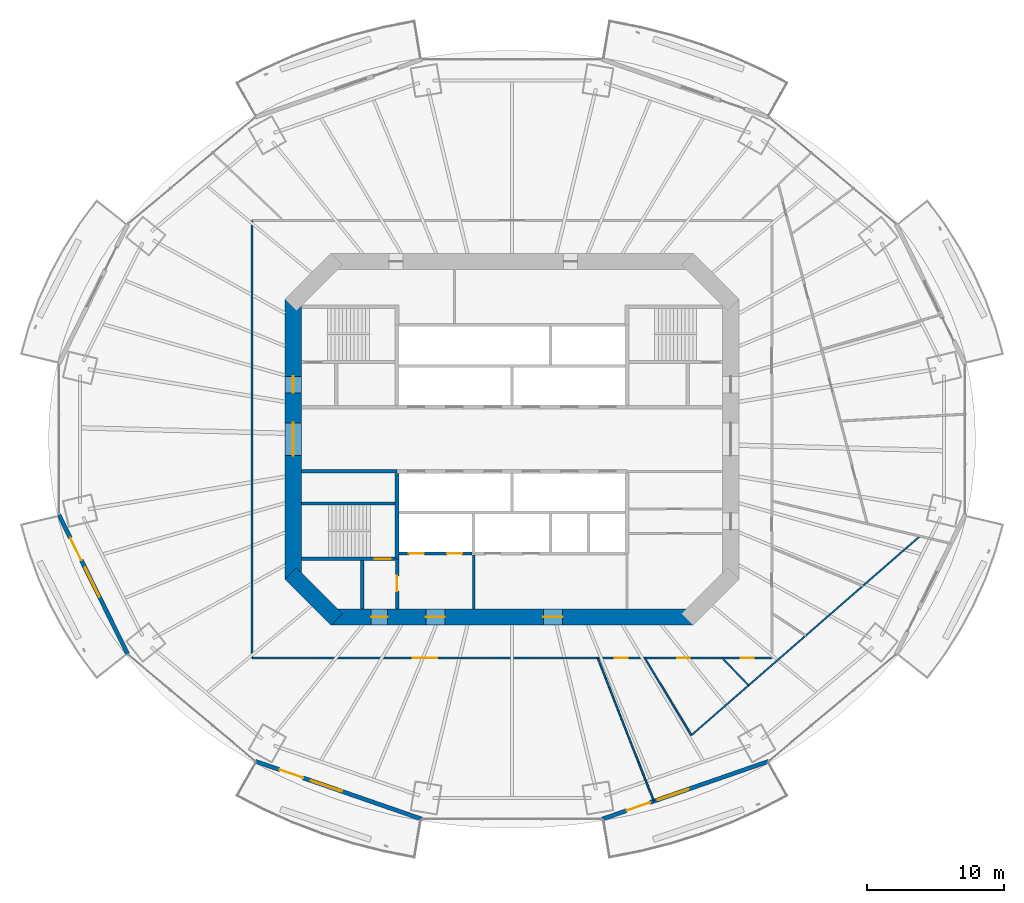
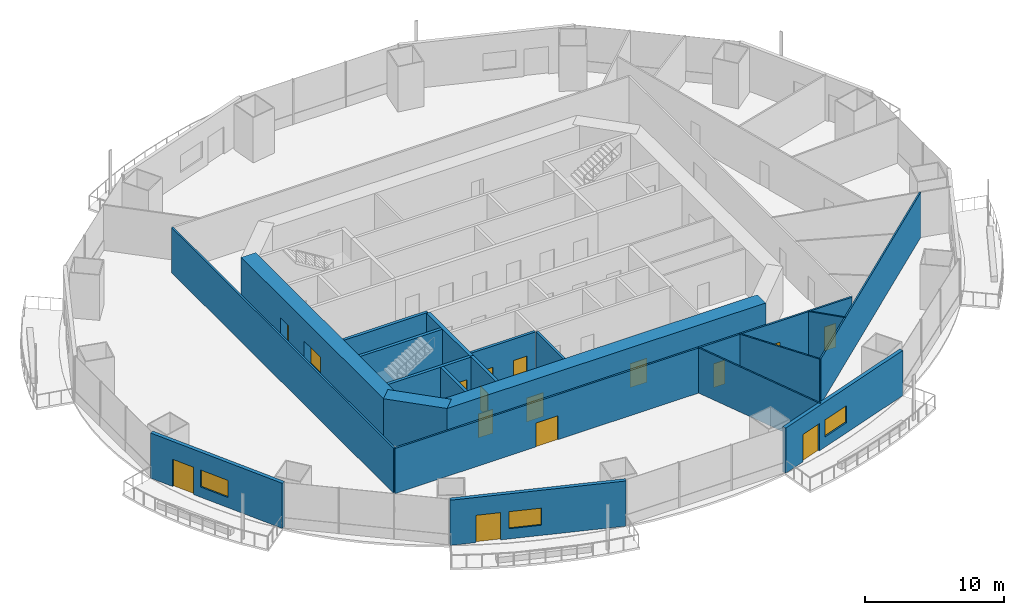
# One storey, part 13 of 21: 20 walls, 16 doors, 3 windows, 19 openings.
"""IFC4 building model written with IfcOpenShell, lengths in metres."""

from ifc_helpers import new_model, si_unit, direction, frame, frame_2d, origin, place, context, subcontext, project, spatial, rectangle, extrude, material, layer, layer_set, type_object, element, fill, save


model = new_model("IFC4")

# Units and contexts
model_context = context("Model", 3, precision=1e-05, world=origin(), true_north=direction((0.0, 1.0)))
body_context = subcontext(model_context, "Body", "Model", "MODEL_VIEW")
ifc_project = project(units=[si_unit("LENGTHUNIT", "METRE"), si_unit("AREAUNIT", "SQUARE_METRE"), si_unit("VOLUMEUNIT", "CUBIC_METRE"), si_unit("PLANEANGLEUNIT", "RADIAN"), si_unit("MASSUNIT", "GRAM", prefix="KILO")], contexts=[model_context])

# Site, building, storey
site_placement = place(None, origin())
site = spatial("IfcSite", under=ifc_project, at=site_placement, CompositionType="ELEMENT")
building_placement = place(site_placement, origin())
building = spatial("IfcBuilding", under=site, at=building_placement, Name="Marenthal Gate Tower", CompositionType="ELEMENT")
storey_placement = place(building_placement, frame((0.0, 0.0, 120.14990234375)))
storey = spatial("IfcBuildingStorey", under=building, at=storey_placement, Name="L25", CompositionType="ELEMENT", Elevation=120.14990234375)

# Wall, openings, doors
ifc_material_1 = material(Name="Concrete 60 MPa", Category="concrete")
ifc_layer_1 = layer(ifc_material_1, 1.199951171875)
ifc_layer_set_1 = layer_set([ifc_layer_1], Name="Core shear wall 1200")
wall_type_1 = type_object("IfcWallType", Name="Core shear wall 1200", PredefinedType="SHEAR", material=ifc_layer_set_1)
wall_1_placement = place(storey_placement, frame((-16.0, 10.24853515625, -0.179931640625), z_axis=(0.0, 0.0, 1.0), x_axis=(0.0, -1.0, 0.0)))
wall_1 = element("IfcWall", 1, at=wall_1_placement, inside=storey, type_object=wall_type_1, Name="Core wall 06", PredefinedType="SHEAR", context=body_context, shape_type="SweptSolid", body=[
    extrude(rectangle(XDim=20.4970703125, YDim=1.199951171875, at=frame_2d((10.24853515625, 0.0))), origin(), (0.0, 0.0, 1.0), 4.150146484375),
])
opening_1_placement = place(wall_1_placement, frame((9.048583984375, 0.0, 0.179931640625)))
opening_1 = element("IfcOpeningElement", 2, at=opening_1_placement, cuts=wall_1, Name="Opening D003.01", PredefinedType="OPENING", context=body_context, shape_type="SweptSolid", body=[
    extrude(rectangle(XDim=2.39990234375, YDim=2.10009765625, at=frame_2d((1.199951171875, 1.050048828125))), frame((0.0, 0.60986328125, 0.0), z_axis=(0.0, -1.0, 0.0), x_axis=(1.0, 0.0, 0.0)), (0.0, 0.0, 1.0), 1.219970703125),
])
opening_2_placement = place(wall_1_placement, frame((5.6484375, 0.0, 0.179931640625)))
opening_2 = element("IfcOpeningElement", 3, at=opening_2_placement, cuts=wall_1, Name="Opening D001.04", PredefinedType="OPENING", context=body_context, shape_type="SweptSolid", body=[
    extrude(rectangle(XDim=1.199951171875, YDim=2.10009765625, at=frame_2d((0.60009765625, 1.050048828125))), frame((0.0, 0.60986328125, 0.0), z_axis=(0.0, -1.0, 0.0), x_axis=(1.0, 0.0, 0.0)), (0.0, 0.0, 1.0), 1.219970703125),
])
ifc_material_2 = material(Name="Steel fire door", Category="steel")
door_type_1 = type_object("IfcDoorType", Name="Double fire door FD 45 2400 x 2100", OperationType="DOUBLE_DOOR_SINGLE_SWING", PredefinedType="DOOR", material=ifc_material_2)
door_1_placement = place(opening_1_placement, origin())
door_1 = element("IfcDoor", 4, at=door_1_placement, inside=storey, type_object=door_type_1, Name="Door D003.01", OperationType="DOUBLE_DOOR_SINGLE_SWING", OverallHeight=2.10009765625, OverallWidth=2.39990234375, PredefinedType="DOOR", context=body_context, shape_type="SweptSolid", body=[
    extrude(rectangle(XDim=2.39990234375, YDim=2.10009765625, at=frame_2d((1.199951171875, 1.050048828125))), frame((0.0, 0.02490234375, 0.0), z_axis=(0.0, -1.0, 0.0), x_axis=(1.0, 0.0, 0.0)), (0.0, 0.0, 1.0), 0.050048828125),
])
fill(opening_1, door_1)
ifc_material_3 = material(Name="Steel fire door", Category="steel")
door_type_2 = type_object("IfcDoorType", Name="Fire door FD 90 1200 x 2100", OperationType="NOTDEFINED", PredefinedType="DOOR", material=ifc_material_3)
door_2_placement = place(opening_2_placement, origin())
door_2 = element("IfcDoor", 5, at=door_2_placement, inside=storey, type_object=door_type_2, Name="Door D001.04", OperationType="SINGLE_SWING_RIGHT", OverallHeight=2.10009765625, OverallWidth=1.199951171875, PredefinedType="DOOR", context=body_context, shape_type="SweptSolid", body=[
    extrude(rectangle(XDim=1.199951171875, YDim=2.10009765625, at=frame_2d((0.60009765625, 1.050048828125))), frame((0.0, 0.02490234375, 0.0), z_axis=(0.0, -1.0, 0.0), x_axis=(1.0, 0.0, 0.0)), (0.0, 0.0, 1.0), 0.050048828125),
])
fill(opening_2, door_2)

# Wall
wall_2_placement = place(storey_placement, frame((-16.17578125, -9.82421875, -0.179931640625), z_axis=(0.0, 0.0, 1.0), x_axis=(0.707106781187, -0.707106781187, 0.0)))
element("IfcWall", 6, at=wall_2_placement, inside=storey, type_object=wall_type_1, Name="Core wall 07", PredefinedType="SHEAR", context=body_context, shape_type="SweptSolid", body=[
    extrude(rectangle(XDim=4.73974609375, YDim=1.199951171875, at=frame_2d((2.369873046875, 0.0))), origin(), (0.0, 0.0, 1.0), 4.150146484375),
])

# Wall, openings, doors
wall_3_placement = place(storey_placement, frame((-13.24853515625, -13.0, -0.179931640625), z_axis=(0.0, 0.0, 1.0), x_axis=(1.0, 0.0, 0.0)))
wall_3 = element("IfcWall", 7, at=wall_3_placement, inside=storey, type_object=wall_type_1, Name="Core wall 08", PredefinedType="SHEAR", context=body_context, shape_type="SweptSolid", body=[
    extrude(rectangle(XDim=26.4970703125, YDim=1.199951171875, at=frame_2d((13.24853515625, 0.0))), origin(), (0.0, 0.0, 1.0), 4.150146484375),
])
opening_3_placement = place(wall_3_placement, frame((2.948486328125, 0.0, 0.179931640625)))
opening_3 = element("IfcOpeningElement", 8, at=opening_3_placement, cuts=wall_3, Name="Opening D001.06", PredefinedType="OPENING", context=body_context, shape_type="SweptSolid", body=[
    extrude(rectangle(XDim=1.199951171875, YDim=2.10009765625, at=frame_2d((0.60009765625, 1.050048828125))), frame((0.0, 0.60986328125, 0.0), z_axis=(0.0, -1.0, 0.0), x_axis=(1.0, 0.0, 0.0)), (0.0, 0.0, 1.0), 1.219970703125),
])
opening_4_placement = place(wall_3_placement, frame((6.948486328125, 0.0, 0.179931640625)))
opening_4 = element("IfcOpeningElement", 9, at=opening_4_placement, cuts=wall_3, Name="Opening D004.01", PredefinedType="OPENING", context=body_context, shape_type="SweptSolid", body=[
    extrude(rectangle(XDim=1.39990234375, YDim=2.10009765625, at=frame_2d((0.699951171875, 1.050048828125))), frame((0.0, 0.60986328125, 0.0), z_axis=(0.0, -1.0, 0.0), x_axis=(1.0, 0.0, 0.0)), (0.0, 0.0, 1.0), 1.219970703125),
])
opening_5_placement = place(wall_3_placement, frame((15.548583984375, 0.0, 0.179931640625)))
opening_5 = element("IfcOpeningElement", 10, at=opening_5_placement, cuts=wall_3, Name="Opening D004.02", PredefinedType="OPENING", context=body_context, shape_type="SweptSolid", body=[
    extrude(rectangle(XDim=1.39990234375, YDim=2.10009765625, at=frame_2d((0.699951171875, 1.050048828125))), frame((0.0, 0.60986328125, 0.0), z_axis=(0.0, -1.0, 0.0), x_axis=(1.0, 0.0, 0.0)), (0.0, 0.0, 1.0), 1.219970703125),
])
ifc_material_4 = material(Name="Steel fire door", Category="steel")
door_type_3 = type_object("IfcDoorType", Name="Fire door FD 45 1400 x 2100", OperationType="NOTDEFINED", PredefinedType="DOOR", material=ifc_material_4)
door_3_placement = place(opening_4_placement, origin())
door_3 = element("IfcDoor", 11, at=door_3_placement, inside=storey, type_object=door_type_3, Name="Door D004.01", OperationType="SINGLE_SWING_RIGHT", OverallHeight=2.10009765625, OverallWidth=1.39990234375, PredefinedType="DOOR", context=body_context, shape_type="SweptSolid", body=[
    extrude(rectangle(XDim=1.39990234375, YDim=2.10009765625, at=frame_2d((0.699951171875, 1.050048828125))), frame((0.0, 0.02490234375, 0.0), z_axis=(0.0, -1.0, 0.0), x_axis=(1.0, 0.0, 0.0)), (0.0, 0.0, 1.0), 0.050048828125),
])
fill(opening_4, door_3)
door_4_placement = place(opening_5_placement, origin())
door_4 = element("IfcDoor", 12, at=door_4_placement, inside=storey, type_object=door_type_3, Name="Door D004.02", OperationType="SINGLE_SWING_RIGHT", OverallHeight=2.10009765625, OverallWidth=1.39990234375, PredefinedType="DOOR", context=body_context, shape_type="SweptSolid", body=[
    extrude(rectangle(XDim=1.39990234375, YDim=2.10009765625, at=frame_2d((0.699951171875, 1.050048828125))), frame((0.0, 0.02490234375, 0.0), z_axis=(0.0, -1.0, 0.0), x_axis=(1.0, 0.0, 0.0)), (0.0, 0.0, 1.0), 0.050048828125),
])
fill(opening_5, door_4)
door_5_placement = place(opening_3_placement, origin())
door_5 = element("IfcDoor", 13, at=door_5_placement, inside=storey, type_object=door_type_2, Name="Door D001.06", OperationType="SINGLE_SWING_RIGHT", OverallHeight=2.10009765625, OverallWidth=1.199951171875, PredefinedType="DOOR", context=body_context, shape_type="SweptSolid", body=[
    extrude(rectangle(XDim=1.199951171875, YDim=2.10009765625, at=frame_2d((0.60009765625, 1.050048828125))), frame((0.0, 0.02490234375, 0.0), z_axis=(0.0, -1.0, 0.0), x_axis=(1.0, 0.0, 0.0)), (0.0, 0.0, 1.0), 0.050048828125),
])
fill(opening_3, door_5)

# Walls
ifc_material_5 = material(Name="Gypsum board on steel studs", Category="steel")
ifc_layer_2 = layer(ifc_material_5, 0.199951171875)
ifc_layer_set_2 = layer_set([ifc_layer_2], Name="Fire lobby wall 200")
wall_type_2 = type_object("IfcWallType", Name="Fire lobby wall 200", PredefinedType="PARTITIONING", material=ifc_layer_set_2)
wall_4_placement = place(storey_placement, frame((-2.800048828125, -12.39990234375, 0.0), z_axis=(0.0, 0.0, 1.0), x_axis=(0.0, 1.0, 0.0)))
element("IfcWall", 14, at=wall_4_placement, inside=storey, type_object=wall_type_2, Name="Fire wall 35", PredefinedType="PARTITIONING", context=body_context, shape_type="SweptSolid", body=[
    extrude(rectangle(XDim=3.93994140625, YDim=0.199951171875, at=frame_2d((1.969970703125, 0.0))), origin(), (0.0, 0.0, 1.0), 3.97021484375),
])
ifc_material_6 = material(Name="Concrete 50 MPa", Category="concrete")
ifc_layer_3 = layer(ifc_material_6, 0.300048828125)
ifc_layer_set_3 = layer_set([ifc_layer_3], Name="Hoistway shear wall 300")
wall_type_3 = type_object("IfcWallType", Name="Hoistway shear wall 300", PredefinedType="SHEAR", material=ifc_layer_set_3)
wall_5_placement = place(storey_placement, frame((-8.39990234375, -8.75, -0.179931640625), z_axis=(0.0, 0.0, 1.0), x_axis=(0.0, 1.0, 0.0)))
element("IfcWall", 15, at=wall_5_placement, inside=storey, type_object=wall_type_3, Name="Hoistway wall 31", PredefinedType="SHEAR", context=body_context, shape_type="SweptSolid", body=[
    extrude(rectangle(XDim=6.25, YDim=0.300048828125, at=frame_2d((3.125, 0.0))), origin(), (0.0, 0.0, 1.0), 4.150146484375),
])

# Wall, openings, doors
ifc_material_7 = material(Name="Concrete 40 MPa", Category="concrete")
ifc_layer_4 = layer(ifc_material_7, 0.219970703125)
ifc_layer_set_4 = layer_set([ifc_layer_4], Name="Hoistway wall 220")
wall_type_4 = type_object("IfcWallType", Name="Hoistway wall 220", PredefinedType="STANDARD", material=ifc_layer_set_4)
wall_6_placement = place(storey_placement, frame((-8.25, -8.35009765625, 0.0), z_axis=(0.0, 0.0, 1.0), x_axis=(1.0, 0.0, 0.0)))
wall_6 = element("IfcWall", 16, at=wall_6_placement, inside=storey, type_object=wall_type_4, Name="Hoistway wall 10", PredefinedType="STANDARD", context=body_context, shape_type="SweptSolid", body=[
    extrude(rectangle(XDim=5.340087890625, YDim=0.219970703125, at=frame_2d((2.669921875, 0.0))), origin(), (0.0, 0.0, 1.0), 3.97021484375),
])
opening_6_placement = place(wall_6_placement, frame((0.699951171875, 0.0, 0.0)))
opening_6 = element("IfcOpeningElement", 17, at=opening_6_placement, cuts=wall_6, Name="Opening LD-LF1", PredefinedType="OPENING", context=body_context, shape_type="SweptSolid", body=[
    extrude(rectangle(XDim=1.10009765625, YDim=2.10009765625, at=frame_2d((0.550048828125, 1.050048828125))), frame((0.0, 0.1201171875, 0.0), z_axis=(0.0, -1.0, 0.0), x_axis=(1.0, 0.0, 0.0)), (0.0, 0.0, 1.0), 0.239990234375),
])
opening_7_placement = place(wall_6_placement, frame((3.5, 0.0, 0.0)))
opening_7 = element("IfcOpeningElement", 18, at=opening_7_placement, cuts=wall_6, Name="Opening LD-LF2", PredefinedType="OPENING", context=body_context, shape_type="SweptSolid", body=[
    extrude(rectangle(XDim=1.10009765625, YDim=2.10009765625, at=frame_2d((0.550048828125, 1.050048828125))), frame((0.0, 0.1201171875, 0.0), z_axis=(0.0, -1.0, 0.0), x_axis=(1.0, 0.0, 0.0)), (0.0, 0.0, 1.0), 0.239990234375),
])
ifc_material_8 = material(Name="Stainless steel sliding door", Category="steel")
door_type_4 = type_object("IfcDoorType", Name="Lift landing door FD 90 1100 x 2100", OperationType="DOUBLE_DOOR_SLIDING", PredefinedType="DOOR", material=ifc_material_8)
door_6_placement = place(opening_6_placement, origin())
door_6 = element("IfcDoor", 19, at=door_6_placement, inside=storey, type_object=door_type_4, Name="Lift landing door LF1", OperationType="DOUBLE_DOOR_SLIDING", OverallHeight=2.10009765625, OverallWidth=1.10009765625, PredefinedType="DOOR", context=body_context, shape_type="SweptSolid", body=[
    extrude(rectangle(XDim=1.10009765625, YDim=2.10009765625, at=frame_2d((0.550048828125, 1.050048828125))), frame((0.0, 0.02490234375, 0.0), z_axis=(0.0, -1.0, 0.0), x_axis=(1.0, 0.0, 0.0)), (0.0, 0.0, 1.0), 0.050048828125),
])
fill(opening_6, door_6)
door_7_placement = place(opening_7_placement, origin())
door_7 = element("IfcDoor", 20, at=door_7_placement, inside=storey, type_object=door_type_4, Name="Lift landing door LF2", OperationType="DOUBLE_DOOR_SLIDING", OverallHeight=2.10009765625, OverallWidth=1.10009765625, PredefinedType="DOOR", context=body_context, shape_type="SweptSolid", body=[
    extrude(rectangle(XDim=1.10009765625, YDim=2.10009765625, at=frame_2d((0.550048828125, 1.050048828125))), frame((0.0, 0.02490234375, 0.0), z_axis=(0.0, -1.0, 0.0), x_axis=(1.0, 0.0, 0.0)), (0.0, 0.0, 1.0), 0.050048828125),
])
fill(opening_7, door_7)

# Walls
ifc_material_9 = material(Name="Gypsum board on steel studs", Category="steel")
ifc_layer_5 = layer(ifc_material_9, 0.1201171875)
ifc_layer_set_5 = layer_set([ifc_layer_5], Name="Partition 120")
wall_type_5 = type_object("IfcWallType", Name="Partition 120", PredefinedType="PARTITIONING", material=ifc_layer_set_5)
wall_7_placement = place(storey_placement, frame((6.26904296875, -16.0, 0.0), z_axis=(0.0, 0.0, 1.0), x_axis=(0.364805509502, -0.931083745018, 0.0)))
element("IfcWall", 21, at=wall_7_placement, inside=storey, type_object=wall_type_5, Name="Partition wall 50", PredefinedType="PARTITIONING", context=body_context, shape_type="SweptSolid", body=[
    extrude(rectangle(XDim=11.240478515625, YDim=0.1201171875, at=frame_2d((5.6201171875, 0.0))), origin(), (0.0, 0.0, 1.0), 3.97021484375),
])
wall_8_placement = place(storey_placement, frame((13.123291015625, -21.637939453125, 0.0), z_axis=(0.0, 0.0, 1.0), x_axis=(0.754100434229, 0.65675911497, 0.0)))
element("IfcWall", 22, at=wall_8_placement, inside=storey, type_object=wall_type_5, Name="Partition wall 51", PredefinedType="PARTITIONING", context=body_context, shape_type="SweptSolid", body=[
    extrude(rectangle(XDim=22.154052734375, YDim=0.1201171875, at=frame_2d((11.0771484375, 0.0))), origin(), (0.0, 0.0, 1.0), 3.97021484375),
])
wall_9_placement = place(storey_placement, frame((13.123291015625, -21.637939453125, 0.0), z_axis=(0.0, 0.0, 1.0), x_axis=(-0.518579044336, 0.855029692336, 0.0)))
element("IfcWall", 23, at=wall_9_placement, inside=storey, type_object=wall_type_5, Name="Partition wall 52", PredefinedType="PARTITIONING", context=body_context, shape_type="SweptSolid", body=[
    extrude(rectangle(XDim=6.59375, YDim=0.1201171875, at=frame_2d((3.296875, 0.0))), origin(), (0.0, 0.0, 1.0), 3.97021484375),
])
wall_10_placement = place(storey_placement, frame((17.2998046875, -18.00048828125, 0.0), z_axis=(0.0, 0.0, 1.0), x_axis=(-0.69293284795, 0.721002127759, 0.0)))
element("IfcWall", 24, at=wall_10_placement, inside=storey, type_object=wall_type_5, Name="Partition wall 54", PredefinedType="PARTITIONING", context=body_context, shape_type="SweptSolid", body=[
    extrude(rectangle(XDim=2.774658203125, YDim=0.1201171875, at=frame_2d((1.38720703125, 0.0))), origin(), (0.0, 0.0, 1.0), 3.97021484375),
])
ifc_material_10 = material(Name="Gypsum board on steel studs", Category="steel")
ifc_layer_6 = layer(ifc_material_10, 0.14990234375)
ifc_layer_set_6 = layer_set([ifc_layer_6], Name="Partition 150")
wall_type_6 = type_object("IfcWallType", Name="Partition 150", PredefinedType="PARTITIONING", material=ifc_layer_set_6)
wall_11_placement = place(storey_placement, frame((-19.0, -16.0, 0.0), z_axis=(0.0, 0.0, 1.0), x_axis=(0.0, 1.0, 0.0)))
element("IfcWall", 25, at=wall_11_placement, inside=storey, type_object=wall_type_6, Name="Partition wall 47", PredefinedType="PARTITIONING", context=body_context, shape_type="SweptSolid", body=[
    extrude(rectangle(XDim=32.0, YDim=0.14990234375, at=frame_2d((16.0, 0.0))), origin(), (0.0, 0.0, 1.0), 3.97021484375),
])

# Wall, openings, doors
wall_12_placement = place(storey_placement, frame((19.0, -16.0, 0.0), z_axis=(0.0, 0.0, 1.0), x_axis=(-1.0, 0.0, 0.0)))
wall_12 = element("IfcWall", 26, at=wall_12_placement, inside=storey, type_object=wall_type_6, Name="Partition wall 55", PredefinedType="PARTITIONING", context=body_context, shape_type="SweptSolid", body=[
    extrude(rectangle(XDim=38.0, YDim=0.14990234375, at=frame_2d((19.0, 0.0))), origin(), (0.0, 0.0, 1.0), 3.97021484375),
])
opening_8_placement = place(wall_12_placement, frame((24.465087890625, 0.0, 0.0)))
opening_8 = element("IfcOpeningElement", 27, at=opening_8_placement, cuts=wall_12, Name="Opening D014.02", PredefinedType="OPENING", context=body_context, shape_type="SweptSolid", body=[
    extrude(rectangle(XDim=1.800048828125, YDim=2.10009765625, at=frame_2d((0.89990234375, 1.050048828125))), frame((0.0, 0.0849609375, 0.0), z_axis=(0.0, -1.0, 0.0), x_axis=(1.0, 0.0, 0.0)), (0.0, 0.0, 1.0), 0.169921875),
])
opening_9_placement = place(wall_12_placement, frame((5.98388671875, 0.0, 0.0)))
opening_9 = element("IfcOpeningElement", 28, at=opening_9_placement, cuts=wall_12, Name="Opening D016.01", PredefinedType="OPENING", context=body_context, shape_type="SweptSolid", body=[
    extrude(rectangle(XDim=0.949951171875, YDim=2.10009765625, at=frame_2d((0.47509765625, 1.050048828125))), frame((0.0, 0.0849609375, 0.0), z_axis=(0.0, -1.0, 0.0), x_axis=(1.0, 0.0, 0.0)), (0.0, 0.0, 1.0), 0.169921875),
])
opening_10_placement = place(wall_12_placement, frame((1.3359375, 0.0, 0.0)))
opening_10 = element("IfcOpeningElement", 29, at=opening_10_placement, cuts=wall_12, Name="Opening D016.02", PredefinedType="OPENING", context=body_context, shape_type="SweptSolid", body=[
    extrude(rectangle(XDim=0.949951171875, YDim=2.10009765625, at=frame_2d((0.47509765625, 1.050048828125))), frame((0.0, 0.0849609375, 0.0), z_axis=(0.0, -1.0, 0.0), x_axis=(1.0, 0.0, 0.0)), (0.0, 0.0, 1.0), 0.169921875),
])
opening_11_placement = place(wall_12_placement, frame((10.5380859375, 0.0, 0.0)))
opening_11 = element("IfcOpeningElement", 30, at=opening_11_placement, cuts=wall_12, Name="Opening D016.05", PredefinedType="OPENING", context=body_context, shape_type="SweptSolid", body=[
    extrude(rectangle(XDim=0.949951171875, YDim=2.10009765625, at=frame_2d((0.47509765625, 1.050048828125))), frame((0.0, 0.0849609375, 0.0), z_axis=(0.0, -1.0, 0.0), x_axis=(1.0, 0.0, 0.0)), (0.0, 0.0, 1.0), 0.169921875),
])
ifc_material_11 = material(Name="Timber door", Category="wood")
door_type_5 = type_object("IfcDoorType", Name="Door 950 x 2100", OperationType="NOTDEFINED", PredefinedType="DOOR", material=ifc_material_11)
door_8_placement = place(opening_9_placement, origin())
door_8 = element("IfcDoor", 31, at=door_8_placement, inside=storey, type_object=door_type_5, Name="Door D016.01", OperationType="SINGLE_SWING_RIGHT", OverallHeight=2.10009765625, OverallWidth=0.949951171875, PredefinedType="DOOR", context=body_context, shape_type="SweptSolid", body=[
    extrude(rectangle(XDim=0.949951171875, YDim=2.10009765625, at=frame_2d((0.47509765625, 1.050048828125))), frame((0.0, 0.02490234375, 0.0), z_axis=(0.0, -1.0, 0.0), x_axis=(1.0, 0.0, 0.0)), (0.0, 0.0, 1.0), 0.050048828125),
])
fill(opening_9, door_8)
door_9_placement = place(opening_10_placement, origin())
door_9 = element("IfcDoor", 32, at=door_9_placement, inside=storey, type_object=door_type_5, Name="Door D016.02", OperationType="SINGLE_SWING_RIGHT", OverallHeight=2.10009765625, OverallWidth=0.949951171875, PredefinedType="DOOR", context=body_context, shape_type="SweptSolid", body=[
    extrude(rectangle(XDim=0.949951171875, YDim=2.10009765625, at=frame_2d((0.47509765625, 1.050048828125))), frame((0.0, 0.02490234375, 0.0), z_axis=(0.0, -1.0, 0.0), x_axis=(1.0, 0.0, 0.0)), (0.0, 0.0, 1.0), 0.050048828125),
])
fill(opening_10, door_9)
door_10_placement = place(opening_11_placement, origin())
door_10 = element("IfcDoor", 33, at=door_10_placement, inside=storey, type_object=door_type_5, Name="Door D016.05", OperationType="SINGLE_SWING_RIGHT", OverallHeight=2.10009765625, OverallWidth=0.949951171875, PredefinedType="DOOR", context=body_context, shape_type="SweptSolid", body=[
    extrude(rectangle(XDim=0.949951171875, YDim=2.10009765625, at=frame_2d((0.47509765625, 1.050048828125))), frame((0.0, 0.02490234375, 0.0), z_axis=(0.0, -1.0, 0.0), x_axis=(1.0, 0.0, 0.0)), (0.0, 0.0, 1.0), 0.050048828125),
])
fill(opening_11, door_10)
ifc_material_12 = material(Name="Timber door", Category="wood")
door_type_6 = type_object("IfcDoorType", Name="Double door 1800 x 2100", OperationType="DOUBLE_DOOR_SINGLE_SWING", PredefinedType="DOOR", material=ifc_material_12)
door_11_placement = place(opening_8_placement, origin())
door_11 = element("IfcDoor", 34, at=door_11_placement, inside=storey, type_object=door_type_6, Name="Door D014.02", OperationType="DOUBLE_DOOR_SINGLE_SWING", OverallHeight=2.10009765625, OverallWidth=1.800048828125, PredefinedType="DOOR", context=body_context, shape_type="SweptSolid", body=[
    extrude(rectangle(XDim=1.800048828125, YDim=2.10009765625, at=frame_2d((0.89990234375, 1.050048828125))), frame((0.0, 0.02490234375, 0.0), z_axis=(0.0, -1.0, 0.0), x_axis=(1.0, 0.0, 0.0)), (0.0, 0.0, 1.0), 0.050048828125),
])
fill(opening_8, door_11)

# Walls
ifc_material_13 = material(Name="Concrete 40 MPa", Category="concrete")
ifc_layer_7 = layer(ifc_material_13, 0.25)
ifc_layer_set_7 = layer_set([ifc_layer_7], Name="Stair enclosure wall 250")
wall_type_7 = type_object("IfcWallType", Name="Stair enclosure wall 250", PredefinedType="STANDARD", material=ifc_layer_set_7)
wall_13_placement = place(storey_placement, frame((-15.39990234375, -2.35009765625, 0.0), z_axis=(0.0, 0.0, 1.0), x_axis=(1.0, 0.0, 0.0)))
element("IfcWall", 35, at=wall_13_placement, inside=storey, type_object=wall_type_7, Name="Stair wall 16", PredefinedType="STANDARD", context=body_context, shape_type="SweptSolid", body=[
    extrude(rectangle(XDim=7.0, YDim=0.25, at=frame_2d((3.5, 0.0))), origin(), (0.0, 0.0, 1.0), 3.97021484375),
])
wall_14_placement = place(storey_placement, frame((-10.949951171875, -12.39990234375, 0.0), z_axis=(0.0, 0.0, 1.0), x_axis=(0.0, 1.0, 0.0)))
element("IfcWall", 36, at=wall_14_placement, inside=storey, type_object=wall_type_7, Name="Stair wall 29", PredefinedType="STANDARD", context=body_context, shape_type="SweptSolid", body=[
    extrude(rectangle(XDim=3.52490234375, YDim=0.25, at=frame_2d((1.762451171875, 0.0))), origin(), (0.0, 0.0, 1.0), 3.97021484375),
])

# Wall, opening, door
wall_15_placement = place(storey_placement, frame((-8.39990234375, -12.39990234375, 0.0), z_axis=(0.0, 0.0, 1.0), x_axis=(0.0, 1.0, 0.0)))
wall_15 = element("IfcWall", 37, at=wall_15_placement, inside=storey, type_object=wall_type_7, Name="Stair wall 30", PredefinedType="STANDARD", context=body_context, shape_type="SweptSolid", body=[
    extrude(rectangle(XDim=3.64990234375, YDim=0.25, at=frame_2d((1.824951171875, 0.0))), origin(), (0.0, 0.0, 1.0), 3.97021484375),
])
opening_12_placement = place(wall_15_placement, frame((1.300048828125, 0.0, 0.0)))
opening_12 = element("IfcOpeningElement", 38, at=opening_12_placement, cuts=wall_15, Name="Opening D002.01", PredefinedType="OPENING", context=body_context, shape_type="SweptSolid", body=[
    extrude(rectangle(XDim=1.10009765625, YDim=2.10009765625, at=frame_2d((0.550048828125, 1.050048828125))), frame((0.0, 0.135009765625, 0.0), z_axis=(0.0, -1.0, 0.0), x_axis=(1.0, 0.0, 0.0)), (0.0, 0.0, 1.0), 0.27001953125),
])
ifc_material_14 = material(Name="Steel fire door", Category="steel")
door_type_7 = type_object("IfcDoorType", Name="Fire door FD 90 1100 x 2100", OperationType="NOTDEFINED", PredefinedType="DOOR", material=ifc_material_14)
door_12_placement = place(opening_12_placement, origin())
door_12 = element("IfcDoor", 39, at=door_12_placement, inside=storey, type_object=door_type_7, Name="Door D002.01", OperationType="SINGLE_SWING_RIGHT", OverallHeight=2.10009765625, OverallWidth=1.10009765625, PredefinedType="DOOR", context=body_context, shape_type="SweptSolid", body=[
    extrude(rectangle(XDim=1.10009765625, YDim=2.10009765625, at=frame_2d((0.550048828125, 1.050048828125))), frame((0.0, 0.02490234375, 0.0), z_axis=(0.0, -1.0, 0.0), x_axis=(1.0, 0.0, 0.0)), (0.0, 0.0, 1.0), 0.050048828125),
])
fill(opening_12, door_12)

ifc_material_15 = material(Name="Concrete 50 MPa", Category="concrete")
ifc_layer_8 = layer(ifc_material_15, 0.25)
ifc_layer_set_8 = layer_set([ifc_layer_8], Name="Stair shear wall 250")
wall_type_8 = type_object("IfcWallType", Name="Stair shear wall 250", PredefinedType="SHEAR", material=ifc_layer_set_8)
wall_16_placement = place(storey_placement, frame((-15.39990234375, -8.75, -0.179931640625), z_axis=(0.0, 0.0, 1.0), x_axis=(1.0, 0.0, 0.0)))
wall_16 = element("IfcWall", 40, at=wall_16_placement, inside=storey, type_object=wall_type_8, Name="Stair wall 09", PredefinedType="SHEAR", context=body_context, shape_type="SweptSolid", body=[
    extrude(rectangle(XDim=6.849853515625, YDim=0.25, at=frame_2d((3.4248046875, 0.0))), origin(), (0.0, 0.0, 1.0), 4.150146484375),
])
opening_13_placement = place(wall_16_placement, frame((5.35009765625, 0.0, 0.179931640625)))
opening_13 = element("IfcOpeningElement", 41, at=opening_13_placement, cuts=wall_16, Name="Opening D001.03", PredefinedType="OPENING", context=body_context, shape_type="SweptSolid", body=[
    extrude(rectangle(XDim=1.199951171875, YDim=2.10009765625, at=frame_2d((0.60009765625, 1.050048828125))), frame((0.0, 0.135009765625, 0.0), z_axis=(0.0, -1.0, 0.0), x_axis=(1.0, 0.0, 0.0)), (0.0, 0.0, 1.0), 0.27001953125),
])
door_13_placement = place(opening_13_placement, origin())
door_13 = element("IfcDoor", 42, at=door_13_placement, inside=storey, type_object=door_type_2, Name="Door D001.03", OperationType="SINGLE_SWING_RIGHT", OverallHeight=2.10009765625, OverallWidth=1.199951171875, PredefinedType="DOOR", context=body_context, shape_type="SweptSolid", body=[
    extrude(rectangle(XDim=1.199951171875, YDim=2.10009765625, at=frame_2d((0.60009765625, 1.050048828125))), frame((0.0, 0.02490234375, 0.0), z_axis=(0.0, -1.0, 0.0), x_axis=(1.0, 0.0, 0.0)), (0.0, 0.0, 1.0), 0.050048828125),
])
fill(opening_13, door_13)

# Wall
wall_17_placement = place(storey_placement, frame((-15.39990234375, -4.699951171875, -0.179931640625), z_axis=(0.0, 0.0, 1.0), x_axis=(1.0, 0.0, 0.0)))
element("IfcWall", 43, at=wall_17_placement, inside=storey, type_object=wall_type_8, Name="Stair wall 15", PredefinedType="SHEAR", context=body_context, shape_type="SweptSolid", body=[
    extrude(rectangle(XDim=6.849853515625, YDim=0.25, at=frame_2d((3.4248046875, 0.0))), origin(), (0.0, 0.0, 1.0), 4.150146484375),
])

# Wall, openings, door, window
ifc_material_16 = material(Name="Terracotta cladding on insulated concrete-block backing", Category="masonry")
ifc_layer_9 = layer(ifc_material_16, 0.300048828125)
ifc_layer_set_9 = layer_set([ifc_layer_9], Name="Terracotta facade wall 300")
wall_type_9 = type_object("IfcWallType", Name="Terracotta facade wall 300", PredefinedType="SOLIDWALL", material=ifc_layer_set_9)
wall_18_placement = place(storey_placement, frame((-33.134765625, -5.525390625, 0.0), z_axis=(0.0, 0.0, 1.0), x_axis=(0.442972236493, -0.896535329865, 0.0)))
wall_18 = element("IfcWall", 44, at=wall_18_placement, inside=storey, type_object=wall_type_9, Name="Terracotta facade wall L25 bay 9", PredefinedType="SOLIDWALL", context=body_context, shape_type="SweptSolid", body=[
    extrude(rectangle(XDim=11.3876953125, YDim=0.300048828125, at=frame_2d((5.69384765625, 0.0))), origin(), (0.0, 0.0, 1.0), 3.97021484375),
])
opening_14_placement = place(wall_18_placement, frame((1.89990234375, 0.0, 0.0)))
opening_14 = element("IfcOpeningElement", 45, at=opening_14_placement, cuts=wall_18, Name="Opening BD-L25-09", PredefinedType="OPENING", context=body_context, shape_type="SweptSolid", body=[
    extrude(rectangle(XDim=1.800048828125, YDim=2.39990234375, at=frame_2d((0.89990234375, 1.199951171875))), frame((0.0, 0.16015625, 0.0), z_axis=(0.0, -1.0, 0.0), x_axis=(1.0, 0.0, 0.0)), (0.0, 0.0, 1.0), 0.320068359375),
])
opening_15_placement = place(wall_18_placement, frame((4.300048828125, 0.0, 0.89990234375)))
opening_15 = element("IfcOpeningElement", 46, at=opening_15_placement, cuts=wall_18, Name="Opening WN1-L25-09", PredefinedType="OPENING", context=body_context, shape_type="SweptSolid", body=[
    extrude(rectangle(XDim=2.39990234375, YDim=1.5, at=frame_2d((1.199951171875, 0.75))), frame((0.0, 0.16015625, 0.0), z_axis=(0.0, -1.0, 0.0), x_axis=(1.0, 0.0, 0.0)), (0.0, 0.0, 1.0), 0.320068359375),
])
ifc_material_17 = material(Name="Aluminium and glass", Category="aluminium")
door_type_8 = type_object("IfcDoorType", Name="Balcony door 1800x2400", OperationType="DOUBLE_DOOR_SINGLE_SWING", PredefinedType="DOOR", material=ifc_material_17)
door_14_placement = place(opening_14_placement, origin())
door_14 = element("IfcDoor", 47, at=door_14_placement, inside=storey, type_object=door_type_8, Name="Balcony door L25 bay 9", OperationType="SINGLE_SWING_LEFT", OverallHeight=2.39990234375, OverallWidth=1.800048828125, PredefinedType="DOOR", context=body_context, shape_type="SweptSolid", body=[
    extrude(rectangle(XDim=1.800048828125, YDim=2.39990234375, at=frame_2d((0.89990234375, 1.199951171875))), frame((0.0, 0.02490234375, 0.0), z_axis=(0.0, -1.0, 0.0), x_axis=(1.0, 0.0, 0.0)), (0.0, 0.0, 1.0), 0.050048828125),
])
fill(opening_14, door_14)
ifc_material_18 = material(Name="Aluminium and glass", Category="aluminium")
window_type = type_object("IfcWindowType", Name="Window 2400x1500", PartitioningType="TRIPLE_PANEL_VERTICAL", PredefinedType="WINDOW", material=ifc_material_18)
window_1_placement = place(opening_15_placement, origin())
window_1 = element("IfcWindow", 48, at=window_1_placement, inside=storey, type_object=window_type, Name="Window L25 bay 9", OverallHeight=1.5, OverallWidth=2.39990234375, PartitioningType="SINGLE_PANEL", PredefinedType="WINDOW", context=body_context, shape_type="SweptSolid", body=[
    extrude(rectangle(XDim=2.39990234375, YDim=1.5, at=frame_2d((1.199951171875, 0.75))), frame((0.0, 0.030029296875, 0.0), z_axis=(0.0, -1.0, 0.0), x_axis=(1.0, 0.0, 0.0)), (0.0, 0.0, 1.0), 0.06005859375),
])
fill(opening_15, window_1)

wall_19_placement = place(storey_placement, frame((-18.769287109375, -23.548828125, 0.0), z_axis=(0.0, 0.0, 1.0), x_axis=(0.944664780262, -0.328037273694, 0.0)))
wall_19 = element("IfcWall", 49, at=wall_19_placement, inside=storey, type_object=wall_type_9, Name="Terracotta facade wall L25 bay 11", PredefinedType="SOLIDWALL", context=body_context, shape_type="SweptSolid", body=[
    extrude(rectangle(XDim=12.891845703125, YDim=0.300048828125, at=frame_2d((6.44580078125, 0.0))), origin(), (0.0, 0.0, 1.0), 3.97021484375),
])
opening_16_placement = place(wall_19_placement, frame((1.89990234375, 0.0, 0.0)))
opening_16 = element("IfcOpeningElement", 50, at=opening_16_placement, cuts=wall_19, Name="Opening BD-L25-11", PredefinedType="OPENING", context=body_context, shape_type="SweptSolid", body=[
    extrude(rectangle(XDim=1.800048828125, YDim=2.39990234375, at=frame_2d((0.89990234375, 1.199951171875))), frame((0.0, 0.16015625, 0.0), z_axis=(0.0, -1.0, 0.0), x_axis=(1.0, 0.0, 0.0)), (0.0, 0.0, 1.0), 0.320068359375),
])
opening_17_placement = place(wall_19_placement, frame((4.300048828125, 0.0, 0.89990234375)))
opening_17 = element("IfcOpeningElement", 51, at=opening_17_placement, cuts=wall_19, Name="Opening WN1-L25-11", PredefinedType="OPENING", context=body_context, shape_type="SweptSolid", body=[
    extrude(rectangle(XDim=2.39990234375, YDim=1.5, at=frame_2d((1.199951171875, 0.75))), frame((0.0, 0.16015625, 0.0), z_axis=(0.0, -1.0, 0.0), x_axis=(1.0, 0.0, 0.0)), (0.0, 0.0, 1.0), 0.320068359375),
])
door_15_placement = place(opening_16_placement, origin())
door_15 = element("IfcDoor", 52, at=door_15_placement, inside=storey, type_object=door_type_8, Name="Balcony door L25 bay 11", OperationType="SINGLE_SWING_LEFT", OverallHeight=2.39990234375, OverallWidth=1.800048828125, PredefinedType="DOOR", context=body_context, shape_type="SweptSolid", body=[
    extrude(rectangle(XDim=1.800048828125, YDim=2.39990234375, at=frame_2d((0.89990234375, 1.199951171875))), frame((0.0, 0.02490234375, 0.0), z_axis=(0.0, -1.0, 0.0), x_axis=(1.0, 0.0, 0.0)), (0.0, 0.0, 1.0), 0.050048828125),
])
fill(opening_16, door_15)
window_2_placement = place(opening_17_placement, origin())
window_2 = element("IfcWindow", 53, at=window_2_placement, inside=storey, type_object=window_type, Name="Window L25 bay 11", OverallHeight=1.5, OverallWidth=2.39990234375, PartitioningType="SINGLE_PANEL", PredefinedType="WINDOW", context=body_context, shape_type="SweptSolid", body=[
    extrude(rectangle(XDim=2.39990234375, YDim=1.5, at=frame_2d((1.199951171875, 0.75))), frame((0.0, 0.030029296875, 0.0), z_axis=(0.0, -1.0, 0.0), x_axis=(1.0, 0.0, 0.0)), (0.0, 0.0, 1.0), 0.06005859375),
])
fill(opening_17, window_2)

wall_20_placement = place(storey_placement, frame((6.5908203125, -27.77783203125, 0.0), z_axis=(0.0, 0.0, 1.0), x_axis=(0.944664780262, 0.328037273694, 0.0)))
wall_20 = element("IfcWall", 54, at=wall_20_placement, inside=storey, type_object=wall_type_9, Name="Terracotta facade wall L25 bay 13", PredefinedType="SOLIDWALL", context=body_context, shape_type="SweptSolid", body=[
    extrude(rectangle(XDim=12.891845703125, YDim=0.300048828125, at=frame_2d((6.44580078125, 0.0))), origin(), (0.0, 0.0, 1.0), 3.97021484375),
])
opening_18_placement = place(wall_20_placement, frame((1.89990234375, 0.0, 0.0)))
opening_18 = element("IfcOpeningElement", 55, at=opening_18_placement, cuts=wall_20, Name="Opening BD-L25-13", PredefinedType="OPENING", context=body_context, shape_type="SweptSolid", body=[
    extrude(rectangle(XDim=1.800048828125, YDim=2.39990234375, at=frame_2d((0.89990234375, 1.199951171875))), frame((0.0, 0.16015625, 0.0), z_axis=(0.0, -1.0, 0.0), x_axis=(1.0, 0.0, 0.0)), (0.0, 0.0, 1.0), 0.320068359375),
])
opening_19_placement = place(wall_20_placement, frame((4.300048828125, 0.0, 0.89990234375)))
opening_19 = element("IfcOpeningElement", 56, at=opening_19_placement, cuts=wall_20, Name="Opening WN1-L25-13", PredefinedType="OPENING", context=body_context, shape_type="SweptSolid", body=[
    extrude(rectangle(XDim=2.39990234375, YDim=1.5, at=frame_2d((1.199951171875, 0.75))), frame((0.0, 0.16015625, 0.0), z_axis=(0.0, -1.0, 0.0), x_axis=(1.0, 0.0, 0.0)), (0.0, 0.0, 1.0), 0.320068359375),
])
door_16_placement = place(opening_18_placement, origin())
door_16 = element("IfcDoor", 57, at=door_16_placement, inside=storey, type_object=door_type_8, Name="Balcony door L25 bay 13", OperationType="SINGLE_SWING_LEFT", OverallHeight=2.39990234375, OverallWidth=1.800048828125, PredefinedType="DOOR", context=body_context, shape_type="SweptSolid", body=[
    extrude(rectangle(XDim=1.800048828125, YDim=2.39990234375, at=frame_2d((0.89990234375, 1.199951171875))), frame((0.0, 0.02490234375, 0.0), z_axis=(0.0, -1.0, 0.0), x_axis=(1.0, 0.0, 0.0)), (0.0, 0.0, 1.0), 0.050048828125),
])
fill(opening_18, door_16)
window_3_placement = place(opening_19_placement, origin())
window_3 = element("IfcWindow", 58, at=window_3_placement, inside=storey, type_object=window_type, Name="Window L25 bay 13", OverallHeight=1.5, OverallWidth=2.39990234375, PartitioningType="SINGLE_PANEL", PredefinedType="WINDOW", context=body_context, shape_type="SweptSolid", body=[
    extrude(rectangle(XDim=2.39990234375, YDim=1.5, at=frame_2d((1.199951171875, 0.75))), frame((0.0, 0.030029296875, 0.0), z_axis=(0.0, -1.0, 0.0), x_axis=(1.0, 0.0, 0.0)), (0.0, 0.0, 1.0), 0.06005859375),
])
fill(opening_19, window_3)

save(model, "model.ifc")
